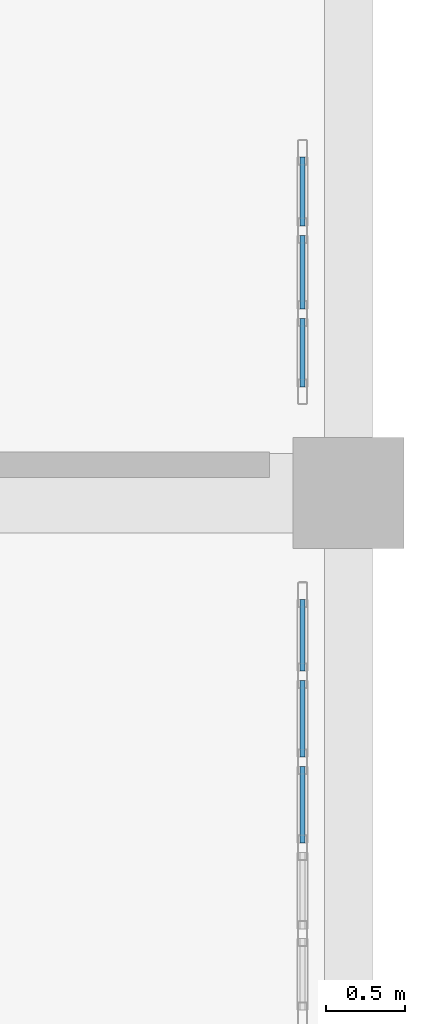
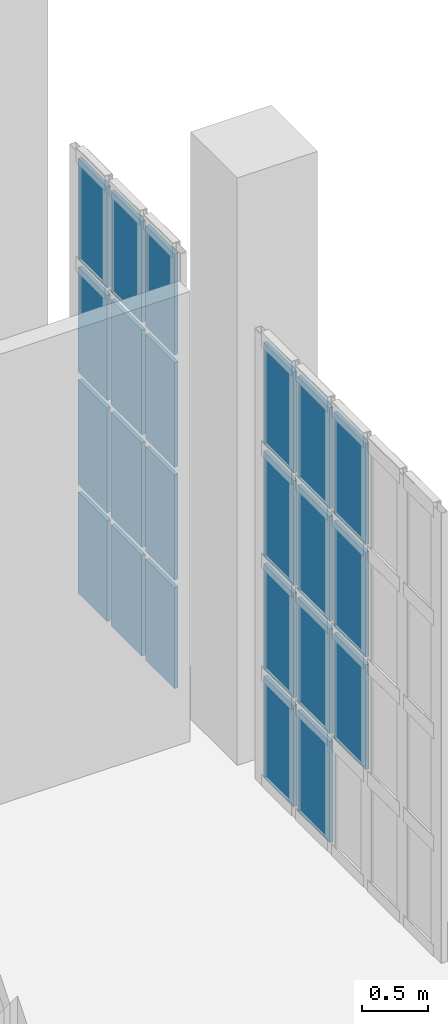
# One storey, part 344 of 372: 23 plates, 2 elements without a shape of their own.
"""IFC4 building model written with IfcOpenShell, lengths in metres."""

from ifc_helpers import new_model, si_unit, direction, frame, origin, origin_2d, place, context, subcontext, project, spatial, rectangle, extrude, material, layer, layer_set, type_object, element, aggregate, save


model = new_model("IFC4")

# Units and contexts
model_context = context("Model", 3, precision=1e-05, world=origin(), true_north=direction((0.0, 1.0)))
body_context = subcontext(model_context, "Body", "Model", "MODEL_VIEW")
ifc_project = project(units=[si_unit("LENGTHUNIT", "METRE"), si_unit("AREAUNIT", "SQUARE_METRE"), si_unit("VOLUMEUNIT", "CUBIC_METRE"), si_unit("PLANEANGLEUNIT", "RADIAN"), si_unit("MASSUNIT", "GRAM", prefix="KILO")], contexts=[model_context])

# Site, building, storey
site_placement = place(None, origin())
site = spatial("IfcSite", under=ifc_project, at=site_placement, CompositionType="ELEMENT")
building_placement = place(site_placement, origin())
building = spatial("IfcBuilding", under=site, at=building_placement, Name="Kaelora Sail Theatre", CompositionType="ELEMENT")
storey_placement = place(building_placement, origin())
storey = spatial("IfcBuildingStorey", under=building, at=storey_placement, Name="L00", CompositionType="ELEMENT", Elevation=0.0)

# Curtain wall, plates
ifc_material_1 = material(Name="Anodised aluminium and solar-control low-E IGU", Category="aluminium")
curtain_wall_type = type_object("IfcCurtainWallType", Name="ARC-CW-CW-FOY1", PredefinedType="NOTDEFINED", material=ifc_material_1)
curtain_wall_1_placement = place(storey_placement, origin())
curtain_wall_1 = element("IfcCurtainWall", 1, at=curtain_wall_1_placement, inside=storey, type_object=curtain_wall_type, Name="Glazed Colonnade/Courtyard Curtain Wall COLE-E-L00-12", PredefinedType="NOTDEFINED")
ifc_material_2 = material(Name="Solar-control laminated low-E glass", Category="glass")
ifc_layer = layer(ifc_material_2, 0.031982421875)
ifc_layer_set = layer_set([ifc_layer], Name="Solar-control laminated low-E glass")
plate_type = type_object("IfcPlateType", Name="ARC-CW-PNL", PredefinedType="CURTAIN_PANEL", material=ifc_layer_set)
plate_1_placement = place(storey_placement, frame((163.2099609375, 59.054931640625, 1.069091796875), z_axis=(0.0, 0.0, 1.0), x_axis=(0.0, 1.0, 0.0)))
plate_1 = element("IfcPlate", 2, at=plate_1_placement, type_object=plate_type, Name="CW-FOY1 panel 3.2", PredefinedType="CURTAIN_PANEL", context=body_context, shape_type="SweptSolid", body=[
    extrude(rectangle(XDim=0.48193359375, YDim=0.031982421875, at=origin_2d()), origin(), (0.0, 0.0, 1.0), 0.96435546875),
])
plate_2_placement = place(storey_placement, frame((163.2099609375, 59.054931640625, 2.103515625), z_axis=(0.0, 0.0, 1.0), x_axis=(0.0, 1.0, 0.0)))
plate_2 = element("IfcPlate", 3, at=plate_2_placement, type_object=plate_type, Name="CW-FOY1 panel 3.3", PredefinedType="CURTAIN_PANEL", context=body_context, shape_type="SweptSolid", body=[
    extrude(rectangle(XDim=0.48193359375, YDim=0.031982421875, at=origin_2d()), origin(), (0.0, 0.0, 1.0), 0.964111328125),
])
plate_3_placement = place(storey_placement, frame((163.2099609375, 59.054931640625, 3.1376953125), z_axis=(0.0, 0.0, 1.0), x_axis=(0.0, 1.0, 0.0)))
plate_3 = element("IfcPlate", 4, at=plate_3_placement, type_object=plate_type, Name="CW-FOY1 panel 3.4", PredefinedType="CURTAIN_PANEL", context=body_context, shape_type="SweptSolid", body=[
    extrude(rectangle(XDim=0.48193359375, YDim=0.031982421875, at=origin_2d()), origin(), (0.0, 0.0, 1.0), 0.92919921875),
])
plate_4_placement = place(storey_placement, frame((163.2099609375, 59.596923828125, 0.070068359375), z_axis=(0.0, 0.0, 1.0), x_axis=(0.0, 1.0, 0.0)))
plate_4 = element("IfcPlate", 5, at=plate_4_placement, type_object=plate_type, Name="CW-FOY1 panel 4.1", PredefinedType="CURTAIN_PANEL", context=body_context, shape_type="SweptSolid", body=[
    extrude(rectangle(XDim=0.48193359375, YDim=0.031982421875, at=origin_2d()), origin(), (0.0, 0.0, 1.0), 0.92919921875),
])
plate_5_placement = place(storey_placement, frame((163.2099609375, 59.596923828125, 1.069091796875), z_axis=(0.0, 0.0, 1.0), x_axis=(0.0, 1.0, 0.0)))
plate_5 = element("IfcPlate", 6, at=plate_5_placement, type_object=plate_type, Name="CW-FOY1 panel 4.2", PredefinedType="CURTAIN_PANEL", context=body_context, shape_type="SweptSolid", body=[
    extrude(rectangle(XDim=0.48193359375, YDim=0.031982421875, at=origin_2d()), origin(), (0.0, 0.0, 1.0), 0.96435546875),
])
plate_6_placement = place(storey_placement, frame((163.2099609375, 59.596923828125, 2.103515625), z_axis=(0.0, 0.0, 1.0), x_axis=(0.0, 1.0, 0.0)))
plate_6 = element("IfcPlate", 7, at=plate_6_placement, type_object=plate_type, Name="CW-FOY1 panel 4.3", PredefinedType="CURTAIN_PANEL", context=body_context, shape_type="SweptSolid", body=[
    extrude(rectangle(XDim=0.48193359375, YDim=0.031982421875, at=origin_2d()), origin(), (0.0, 0.0, 1.0), 0.964111328125),
])
plate_7_placement = place(storey_placement, frame((163.2099609375, 59.596923828125, 3.1376953125), z_axis=(0.0, 0.0, 1.0), x_axis=(0.0, 1.0, 0.0)))
plate_7 = element("IfcPlate", 8, at=plate_7_placement, type_object=plate_type, Name="CW-FOY1 panel 4.4", PredefinedType="CURTAIN_PANEL", context=body_context, shape_type="SweptSolid", body=[
    extrude(rectangle(XDim=0.48193359375, YDim=0.031982421875, at=origin_2d()), origin(), (0.0, 0.0, 1.0), 0.92919921875),
])
plate_8_placement = place(storey_placement, frame((163.2099609375, 60.1240234375, 0.070068359375), z_axis=(0.0, 0.0, 1.0), x_axis=(0.0, 1.0, 0.0)))
plate_8 = element("IfcPlate", 9, at=plate_8_placement, type_object=plate_type, Name="CW-FOY1 panel 5.1", PredefinedType="CURTAIN_PANEL", context=body_context, shape_type="SweptSolid", body=[
    extrude(rectangle(XDim=0.451904296875, YDim=0.031982421875, at=origin_2d()), origin(), (0.0, 0.0, 1.0), 0.92919921875),
])
plate_9_placement = place(storey_placement, frame((163.2099609375, 60.1240234375, 1.069091796875), z_axis=(0.0, 0.0, 1.0), x_axis=(0.0, 1.0, 0.0)))
plate_9 = element("IfcPlate", 10, at=plate_9_placement, type_object=plate_type, Name="CW-FOY1 panel 5.2", PredefinedType="CURTAIN_PANEL", context=body_context, shape_type="SweptSolid", body=[
    extrude(rectangle(XDim=0.451904296875, YDim=0.031982421875, at=origin_2d()), origin(), (0.0, 0.0, 1.0), 0.96435546875),
])
plate_10_placement = place(storey_placement, frame((163.2099609375, 60.1240234375, 2.103515625), z_axis=(0.0, 0.0, 1.0), x_axis=(0.0, 1.0, 0.0)))
plate_10 = element("IfcPlate", 11, at=plate_10_placement, type_object=plate_type, Name="CW-FOY1 panel 5.3", PredefinedType="CURTAIN_PANEL", context=body_context, shape_type="SweptSolid", body=[
    extrude(rectangle(XDim=0.451904296875, YDim=0.031982421875, at=origin_2d()), origin(), (0.0, 0.0, 1.0), 0.964111328125),
])
plate_11_placement = place(storey_placement, frame((163.2099609375, 60.1240234375, 3.1376953125), z_axis=(0.0, 0.0, 1.0), x_axis=(0.0, 1.0, 0.0)))
plate_11 = element("IfcPlate", 12, at=plate_11_placement, type_object=plate_type, Name="CW-FOY1 panel 5.4", PredefinedType="CURTAIN_PANEL", context=body_context, shape_type="SweptSolid", body=[
    extrude(rectangle(XDim=0.451904296875, YDim=0.031982421875, at=origin_2d()), origin(), (0.0, 0.0, 1.0), 0.92919921875),
])
aggregate(curtain_wall_1, [plate_1, plate_2, plate_3, plate_4, plate_5, plate_6, plate_7, plate_8, plate_9, plate_10, plate_11])

curtain_wall_2_placement = place(storey_placement, origin())
curtain_wall_2 = element("IfcCurtainWall", 13, at=curtain_wall_2_placement, inside=storey, type_object=curtain_wall_type, Name="Glazed Colonnade/Courtyard Curtain Wall COLE-E-L00-13", PredefinedType="NOTDEFINED")
plate_12_placement = place(storey_placement, frame((163.2099609375, 61.90673828125, 0.070068359375), z_axis=(0.0, 0.0, 1.0), x_axis=(0.0, 1.0, 0.0)))
plate_12 = element("IfcPlate", 14, at=plate_12_placement, type_object=plate_type, Name="CW-FOY1 panel 1.1", PredefinedType="CURTAIN_PANEL", context=body_context, shape_type="SweptSolid", body=[
    extrude(rectangle(XDim=0.433349609375, YDim=0.031982421875, at=origin_2d()), origin(), (0.0, 0.0, 1.0), 0.92919921875),
])
plate_13_placement = place(storey_placement, frame((163.2099609375, 61.90673828125, 1.069091796875), z_axis=(0.0, 0.0, 1.0), x_axis=(0.0, 1.0, 0.0)))
plate_13 = element("IfcPlate", 15, at=plate_13_placement, type_object=plate_type, Name="CW-FOY1 panel 1.2", PredefinedType="CURTAIN_PANEL", context=body_context, shape_type="SweptSolid", body=[
    extrude(rectangle(XDim=0.433349609375, YDim=0.031982421875, at=origin_2d()), origin(), (0.0, 0.0, 1.0), 0.96435546875),
])
plate_14_placement = place(storey_placement, frame((163.2099609375, 61.90673828125, 2.103515625), z_axis=(0.0, 0.0, 1.0), x_axis=(0.0, 1.0, 0.0)))
plate_14 = element("IfcPlate", 16, at=plate_14_placement, type_object=plate_type, Name="CW-FOY1 panel 1.3", PredefinedType="CURTAIN_PANEL", context=body_context, shape_type="SweptSolid", body=[
    extrude(rectangle(XDim=0.433349609375, YDim=0.031982421875, at=origin_2d()), origin(), (0.0, 0.0, 1.0), 0.964111328125),
])
plate_15_placement = place(storey_placement, frame((163.2099609375, 61.90673828125, 3.1376953125), z_axis=(0.0, 0.0, 1.0), x_axis=(0.0, 1.0, 0.0)))
plate_15 = element("IfcPlate", 17, at=plate_15_placement, type_object=plate_type, Name="CW-FOY1 panel 1.4", PredefinedType="CURTAIN_PANEL", context=body_context, shape_type="SweptSolid", body=[
    extrude(rectangle(XDim=0.433349609375, YDim=0.031982421875, at=origin_2d()), origin(), (0.0, 0.0, 1.0), 0.92919921875),
])
plate_16_placement = place(storey_placement, frame((163.2099609375, 62.4150390625, 0.070068359375), z_axis=(0.0, 0.0, 1.0), x_axis=(0.0, 1.0, 0.0)))
plate_16 = element("IfcPlate", 18, at=plate_16_placement, type_object=plate_type, Name="CW-FOY1 panel 2.1", PredefinedType="CURTAIN_PANEL", context=body_context, shape_type="SweptSolid", body=[
    extrude(rectangle(XDim=0.46337890625, YDim=0.031982421875, at=origin_2d()), origin(), (0.0, 0.0, 1.0), 0.92919921875),
])
plate_17_placement = place(storey_placement, frame((163.2099609375, 62.4150390625, 1.069091796875), z_axis=(0.0, 0.0, 1.0), x_axis=(0.0, 1.0, 0.0)))
plate_17 = element("IfcPlate", 19, at=plate_17_placement, type_object=plate_type, Name="CW-FOY1 panel 2.2", PredefinedType="CURTAIN_PANEL", context=body_context, shape_type="SweptSolid", body=[
    extrude(rectangle(XDim=0.46337890625, YDim=0.031982421875, at=origin_2d()), origin(), (0.0, 0.0, 1.0), 0.96435546875),
])
plate_18_placement = place(storey_placement, frame((163.2099609375, 62.4150390625, 2.103515625), z_axis=(0.0, 0.0, 1.0), x_axis=(0.0, 1.0, 0.0)))
plate_18 = element("IfcPlate", 20, at=plate_18_placement, type_object=plate_type, Name="CW-FOY1 panel 2.3", PredefinedType="CURTAIN_PANEL", context=body_context, shape_type="SweptSolid", body=[
    extrude(rectangle(XDim=0.46337890625, YDim=0.031982421875, at=origin_2d()), origin(), (0.0, 0.0, 1.0), 0.964111328125),
])
plate_19_placement = place(storey_placement, frame((163.2099609375, 62.4150390625, 3.1376953125), z_axis=(0.0, 0.0, 1.0), x_axis=(0.0, 1.0, 0.0)))
plate_19 = element("IfcPlate", 21, at=plate_19_placement, type_object=plate_type, Name="CW-FOY1 panel 2.4", PredefinedType="CURTAIN_PANEL", context=body_context, shape_type="SweptSolid", body=[
    extrude(rectangle(XDim=0.46337890625, YDim=0.031982421875, at=origin_2d()), origin(), (0.0, 0.0, 1.0), 0.92919921875),
])
plate_20_placement = place(storey_placement, frame((163.2099609375, 62.92333984375, 0.070068359375), z_axis=(0.0, 0.0, 1.0), x_axis=(0.0, 1.0, 0.0)))
plate_20 = element("IfcPlate", 22, at=plate_20_placement, type_object=plate_type, Name="CW-FOY1 panel 3.1", PredefinedType="CURTAIN_PANEL", context=body_context, shape_type="SweptSolid", body=[
    extrude(rectangle(XDim=0.433349609375, YDim=0.031982421875, at=origin_2d()), origin(), (0.0, 0.0, 1.0), 0.92919921875),
])
plate_21_placement = place(storey_placement, frame((163.2099609375, 62.92333984375, 1.069091796875), z_axis=(0.0, 0.0, 1.0), x_axis=(0.0, 1.0, 0.0)))
plate_21 = element("IfcPlate", 23, at=plate_21_placement, type_object=plate_type, Name="CW-FOY1 panel 3.2", PredefinedType="CURTAIN_PANEL", context=body_context, shape_type="SweptSolid", body=[
    extrude(rectangle(XDim=0.433349609375, YDim=0.031982421875, at=origin_2d()), origin(), (0.0, 0.0, 1.0), 0.96435546875),
])
plate_22_placement = place(storey_placement, frame((163.2099609375, 62.92333984375, 2.103515625), z_axis=(0.0, 0.0, 1.0), x_axis=(0.0, 1.0, 0.0)))
plate_22 = element("IfcPlate", 24, at=plate_22_placement, type_object=plate_type, Name="CW-FOY1 panel 3.3", PredefinedType="CURTAIN_PANEL", context=body_context, shape_type="SweptSolid", body=[
    extrude(rectangle(XDim=0.433349609375, YDim=0.031982421875, at=origin_2d()), origin(), (0.0, 0.0, 1.0), 0.964111328125),
])
plate_23_placement = place(storey_placement, frame((163.2099609375, 62.92333984375, 3.1376953125), z_axis=(0.0, 0.0, 1.0), x_axis=(0.0, 1.0, 0.0)))
plate_23 = element("IfcPlate", 25, at=plate_23_placement, type_object=plate_type, Name="CW-FOY1 panel 3.4", PredefinedType="CURTAIN_PANEL", context=body_context, shape_type="SweptSolid", body=[
    extrude(rectangle(XDim=0.433349609375, YDim=0.031982421875, at=origin_2d()), origin(), (0.0, 0.0, 1.0), 0.92919921875),
])
aggregate(curtain_wall_2, [plate_12, plate_13, plate_14, plate_15, plate_16, plate_17, plate_18, plate_19, plate_20, plate_21, plate_22, plate_23])

save(model, "model.ifc")
